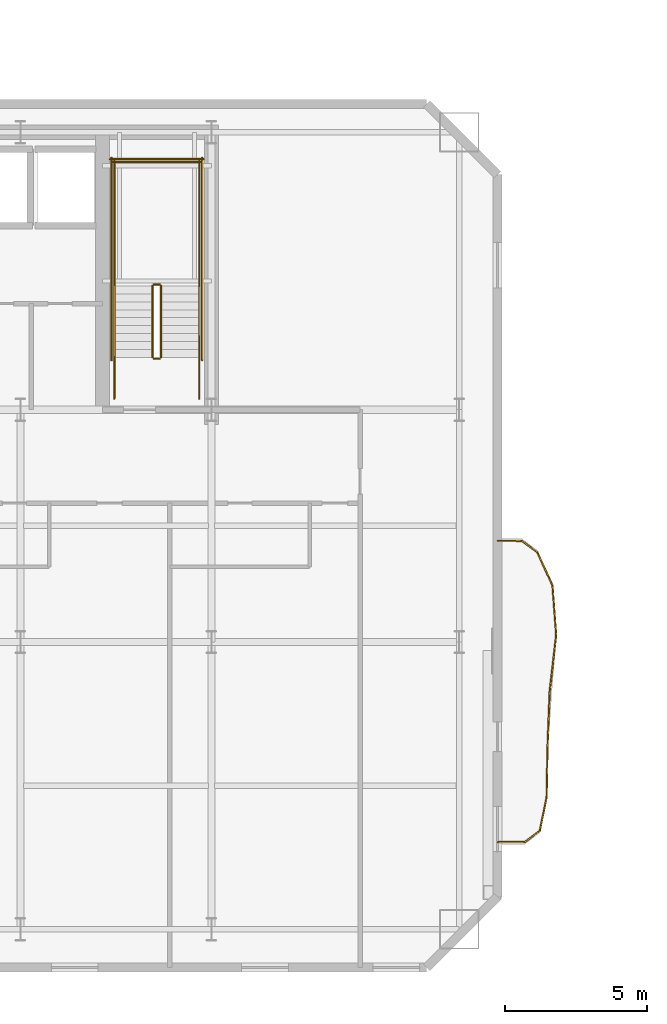
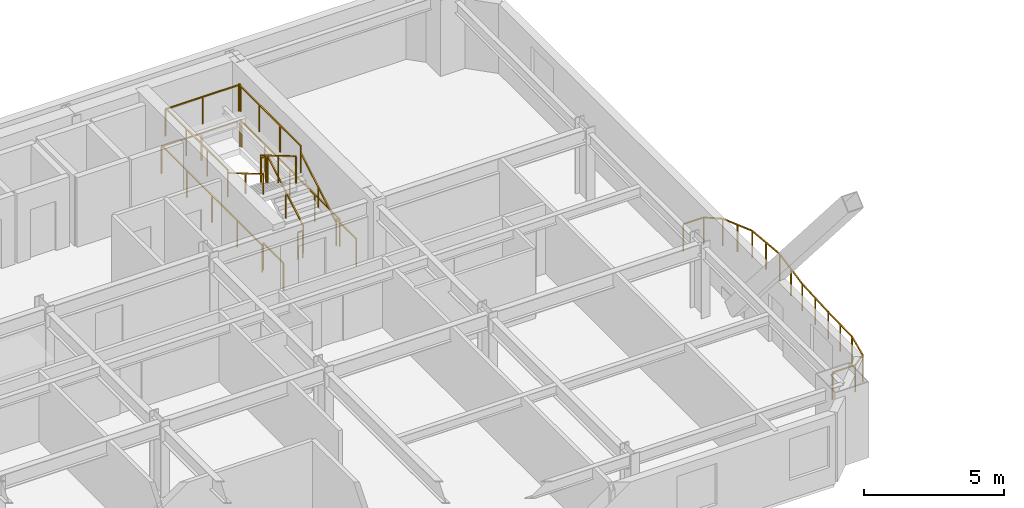
# One storey, part 13 of 15: 24 railings.
"""IFC4 building model written with IfcOpenShell, lengths in metres."""

import ifcopenshell
import ifcopenshell.guid

model = None  # the IFC model being written
_history = None  # IfcOwnerHistory: only IFC2X3 demands one
_inside = {}  # id of a spatial element -> (the spatial element, [elements in it])
_under = {}  # id of a project, library or spatial element -> (it, [spatial elements below it])
_declared = {}  # id of a project -> (the project, [libraries it declares])
_typed = {}  # id of a type object -> (the type object, [elements of that type])
_made_of = {}  # id of a material, layer set ... -> (it, [elements and type objects made of it])


def new_model(schema):
    """Start an empty IFC model of exactly this schema.

    Asked for "IFC4X3", IfcOpenShell would pick the latest addendum, in which some entities
    have other attributes; the version numbers below select the first issue.
    IFC2X3 requires an IfcOwnerHistory on every rooted entity: one is made here for all.
    """
    global model, _history
    if schema == "IFC4X3":
        model = ifcopenshell.file(schema_version=(4, 3, 0, 0))
    else:
        model = ifcopenshell.file(schema=schema)
    _inside.clear()
    _under.clear()
    _declared.clear()
    _typed.clear()
    _made_of.clear()
    _history = None
    if model.schema == "IFC2X3":
        org = make("IfcOrganization", Name="unknown")
        user = make(
            "IfcPersonAndOrganization",
            ThePerson=make("IfcPerson", FamilyName="unknown"),
            TheOrganization=org,
        )
        app = make(
            "IfcApplication",
            ApplicationDeveloper=org,
            Version="unknown",
            ApplicationFullName="unknown",
            ApplicationIdentifier="unknown",
        )
        _history = make(
            "IfcOwnerHistory",
            OwningUser=user,
            OwningApplication=app,
            ChangeAction="ADDED",
            CreationDate=0,
        )
    return model


def make(cls, **values):
    """One entity of the class cls with the attributes given. An attribute that is None is left unset."""
    return model.create_entity(
        cls, **{name: value for name, value in values.items() if value is not None}
    )


def rooted(cls, **values):
    """An entity with a GlobalId (a new one), such as an element, a storey or a relation."""
    return make(cls, GlobalId=ifcopenshell.guid.new(), OwnerHistory=_history, **values)


def si_unit(unit_type, name, prefix=None):
    """IfcSIUnit, for example si_unit("LENGTHUNIT", "METRE", prefix="MILLI")."""
    return make("IfcSIUnit", UnitType=unit_type, Prefix=prefix, Name=name)


def assignment(units):
    """IfcUnitAssignment: the units of a project."""
    return None if units is None else make("IfcUnitAssignment", Units=units)


def point(xyz):
    """IfcCartesianPoint."""
    return None if xyz is None else make("IfcCartesianPoint", Coordinates=xyz)


def direction(xyz):
    """IfcDirection."""
    return None if xyz is None else make("IfcDirection", DirectionRatios=xyz)


def frame(location, z_axis=None, x_axis=None):
    """IfcAxis2Placement3D, a coordinate frame: its origin and axes. An axis left out is left unset."""
    return make(
        "IfcAxis2Placement3D",
        Location=point(location),
        Axis=direction(z_axis),
        RefDirection=direction(x_axis),
    )


def frame_2d(location, x_axis=None):
    """IfcAxis2Placement2D, a coordinate frame in the plane: its origin and x axis."""
    return make(
        "IfcAxis2Placement2D", Location=point(location), RefDirection=direction(x_axis)
    )


def origin():
    """The frame at (0, 0, 0) with its axes left unset."""
    return frame((0.0, 0.0, 0.0))


def origin_2d():
    """The frame at (0, 0) in the plane with its x axis left unset."""
    return frame_2d((0.0, 0.0))


def place(relative_to, where):
    """IfcLocalPlacement: puts the frame where relative to a parent placement (None: the world)."""
    return make(
        "IfcLocalPlacement", PlacementRelTo=relative_to, RelativePlacement=where
    )


def context(
    kind, dimensions, precision=None, world=None, true_north=None, identifier=None
):
    """IfcGeometricRepresentationContext, for example the 3D "Model" context."""
    return make(
        "IfcGeometricRepresentationContext",
        ContextIdentifier=identifier,
        ContextType=kind,
        CoordinateSpaceDimension=dimensions,
        Precision=precision,
        WorldCoordinateSystem=world,
        TrueNorth=true_north,
    )


def subcontext(parent, identifier, kind, view, scale=None):
    """IfcGeometricRepresentationSubContext, for example "Body" below "Model"."""
    return make(
        "IfcGeometricRepresentationSubContext",
        ContextIdentifier=identifier,
        ContextType=kind,
        ParentContext=parent,
        TargetScale=scale,
        TargetView=view,
    )


def project(units=None, contexts=None):
    """IfcProject with its units and contexts."""
    return rooted(
        "IfcProject",
        Name="project",
        RepresentationContexts=contexts,
        UnitsInContext=assignment(units),
    )


def spatial(cls, under=None, at=None, **own):
    """A site, building, storey or space (cls), placed at a placement, below another one or the project."""
    s = rooted(cls, ObjectPlacement=at, **own)
    if under is not None:
        _under.setdefault(under.id(), (under, []))[1].append(s)
    return s


def profile(cls, at=None, kind="AREA", **sizes):
    """A parametric profile (cls). Its sizes go by their IFC names, for example OverallWidth=200.0."""
    return make(cls, ProfileType=kind, Position=at, **sizes)


def rectangle(**sizes):
    """IfcRectangleProfileDef."""
    return profile("IfcRectangleProfileDef", **sizes)


def extrude(swept, where, along, depth):
    """IfcExtrudedAreaSolid: the profile swept, set in the frame where, extruded along a direction by depth."""
    return make(
        "IfcExtrudedAreaSolid",
        SweptArea=swept,
        Position=where,
        ExtrudedDirection=direction(along),
        Depth=depth,
    )


def shape(context_of_items, identifier, shape_type, items):
    """IfcShapeRepresentation: the items that make up one representation, for example the "Body"."""
    return make(
        "IfcShapeRepresentation",
        ContextOfItems=context_of_items,
        RepresentationIdentifier=identifier,
        RepresentationType=shape_type,
        Items=items,
    )


def material(Name=None, Category=None):
    """IfcMaterial."""
    return make("IfcMaterial", Name=Name, Category=Category)


def made_of(thing, what):
    """Note that an element or type object is made of a material, layer set ...; save() writes the relation."""
    if what is not None:
        _made_of.setdefault(what.id(), (what, []))[1].append(thing)
    return thing


def type_object(cls, material=None, **own):
    """A type object (cls), such as IfcWallType, which elements share."""
    return made_of(rooted(cls, **own), material)


def element(
    cls,
    number,
    at=None,
    inside=None,
    cuts=None,
    type_object=None,
    material=None,
    context=None,
    identifier="Body",
    shape_type=None,
    held_by="IfcProductDefinitionShape",
    body=None,
    shapes=None,
    **own,
):
    """One element of the class cls, such as IfcWall. Its Tag is "e" and its number.

    at: its placement. inside: the storey or other place that contains it. cuts: it is an
    opening in that element (IfcRelVoidsElement). A single representation is given by context,
    identifier, shape_type and body (its items); several are given by shapes. held_by: the class
    of the entity that holds the representations. save() writes the other relations.
    """
    e = rooted(cls, Tag="e%d" % number, ObjectPlacement=at, **own)
    if body is not None:
        shapes = [shape(context, identifier, shape_type, body)]
    if shapes is not None:
        e.Representation = make(held_by, Representations=shapes)
    if inside is not None:
        _inside.setdefault(inside.id(), (inside, []))[1].append(e)
    if cuts is not None:
        rooted(
            "IfcRelVoidsElement", RelatingBuildingElement=cuts, RelatedOpeningElement=e
        )
    if type_object is not None:
        _typed.setdefault(type_object.id(), (type_object, []))[1].append(e)
    return made_of(e, material)


def aggregate(whole, parts):
    """IfcRelAggregates: a whole, such as a stair, and the parts it consists of."""
    return rooted("IfcRelAggregates", RelatingObject=whole, RelatedObjects=parts)


def save(model, path):
    """Write the relations noted so far, then the file.

    IfcRelAggregates (storeys below a building ...), IfcRelContainedInSpatialStructure (elements
    in a storey), IfcRelDefinesByType, IfcRelAssociatesMaterial and IfcRelDeclares: one each for
    every whole, place, type object, material and project.
    """
    for whole, parts in _under.values():
        aggregate(whole, parts)
    for where, things in _inside.values():
        rooted(
            "IfcRelContainedInSpatialStructure",
            RelatedElements=things,
            RelatingStructure=where,
        )
    for kind, things in _typed.values():
        rooted("IfcRelDefinesByType", RelatedObjects=things, RelatingType=kind)
    for what, things in _made_of.values():
        rooted("IfcRelAssociatesMaterial", RelatedObjects=things, RelatingMaterial=what)
    for by, libraries in _declared.values():
        rooted("IfcRelDeclares", RelatingContext=by, RelatedDefinitions=libraries)
    model.write(path)


model = new_model("IFC4")

# Units and contexts
model_context = context("Model", 3, precision=1e-05, world=origin(), true_north=direction((0.0, 1.0)))
body_context = subcontext(model_context, "Body", "Model", "MODEL_VIEW")
ifc_project = project(units=[si_unit("LENGTHUNIT", "METRE"), si_unit("AREAUNIT", "SQUARE_METRE"), si_unit("VOLUMEUNIT", "CUBIC_METRE"), si_unit("PLANEANGLEUNIT", "RADIAN"), si_unit("MASSUNIT", "GRAM", prefix="KILO")], contexts=[model_context])

# Site, building, storey
site_placement = place(None, origin())
site = spatial("IfcSite", under=ifc_project, at=site_placement, CompositionType="ELEMENT")
building_placement = place(site_placement, origin())
building = spatial("IfcBuilding", under=site, at=building_placement, Name="Haevon Station Towers", CompositionType="ELEMENT")
storey_placement = place(building_placement, frame((0.0, 0.0, 103.199951171875)))
storey = spatial("IfcBuildingStorey", under=building, at=storey_placement, Name="L27", CompositionType="ELEMENT", Elevation=103.199951171875)

# Railings
ifc_material = material(Name="Steel S355", Category="steel")
railing_type_1 = type_object("IfcRailingType", Name="GRD-EXT1200", PredefinedType="GUARDRAIL", material=ifc_material)
railing_1_placement = place(storey_placement, frame((61.12353515625, 22.927734375, 0.0)))
element("IfcRailing", 1, at=railing_1_placement, inside=storey, type_object=railing_type_1, Name="L27 Perimeter Guardrail 1", PredefinedType="GUARDRAIL", context=body_context, shape_type="SweptSolid", body=[
    extrude(rectangle(XDim=0.048095703125, YDim=0.048095703125, at=origin_2d()), frame((0.0, 0.0, 1.17578125), z_axis=(0.999997290248, 0.002327981276, 0.0), x_axis=(-0.002327981276, 0.999997290248, 0.0)), (0.0, 0.0, 1.0), 0.94384765625),
    extrude(rectangle(XDim=0.0419921875, YDim=0.0419921875, at=origin_2d()), origin(), (0.0, 0.0, 1.0), 1.15185546875),
    extrude(rectangle(XDim=0.0419921875, YDim=0.0419921875, at=origin_2d()), frame((0.94384765625, 0.002197265625, 0.0)), (0.0, 0.0, 1.0), 1.15185546875),
])
railing_2_placement = place(storey_placement, frame((62.0673828125, 22.929931640625, 0.0)))
element("IfcRailing", 2, at=railing_2_placement, inside=storey, type_object=railing_type_1, Name="L27 Perimeter Guardrail 2", PredefinedType="GUARDRAIL", context=body_context, shape_type="SweptSolid", body=[
    extrude(rectangle(XDim=0.048095703125, YDim=0.048095703125, at=origin_2d()), frame((0.0, 0.0, 1.17578125), z_axis=(0.79178726734, 0.61079695749, 0.0), x_axis=(-0.61079695749, 0.79178726734, 0.0)), (0.0, 0.0, 1.0), 0.673095703125),
    extrude(rectangle(XDim=0.0419921875, YDim=0.0419921875, at=origin_2d()), origin(), (0.0, 0.0, 1.0), 1.15185546875),
    extrude(rectangle(XDim=0.0419921875, YDim=0.0419921875, at=origin_2d()), frame((0.532958984375, 0.4111328125, 0.0)), (0.0, 0.0, 1.0), 1.15185546875),
])
railing_3_placement = place(storey_placement, frame((62.600341796875, 23.341064453125, 0.0)))
element("IfcRailing", 3, at=railing_3_placement, inside=storey, type_object=railing_type_1, Name="L27 Perimeter Guardrail 3", PredefinedType="GUARDRAIL", context=body_context, shape_type="SweptSolid", body=[
    extrude(rectangle(XDim=0.048095703125, YDim=0.048095703125, at=origin_2d()), frame((0.0, 0.0, 1.17578125), z_axis=(0.199771721582, 0.979842466551, 0.0), x_axis=(-0.979842466551, 0.199771721582, 0.0)), (0.0, 0.0, 1.0), 1.194091796875),
    extrude(rectangle(XDim=0.0419921875, YDim=0.0419921875, at=origin_2d()), origin(), (0.0, 0.0, 1.0), 1.15185546875),
    extrude(rectangle(XDim=0.0419921875, YDim=0.0419921875, at=origin_2d()), frame((0.238525390625, 1.169921875, 0.0)), (0.0, 0.0, 1.0), 1.15185546875),
])
railing_4_placement = place(storey_placement, frame((62.8388671875, 24.510986328125, 0.0)))
element("IfcRailing", 4, at=railing_4_placement, inside=storey, type_object=railing_type_1, Name="L27 Perimeter Guardrail 4", PredefinedType="GUARDRAIL", context=body_context, shape_type="SweptSolid", body=[
    extrude(rectangle(XDim=0.048095703125, YDim=0.048095703125, at=origin_2d()), frame((0.0, 0.0, 1.17578125), z_axis=(0.017572959065, 0.999845583633, 0.0), x_axis=(-0.999845583633, 0.017572959065, 0.0)), (0.0, 0.0, 1.0), 1.75048828125),
    extrude(rectangle(XDim=0.0419921875, YDim=0.0419921875, at=origin_2d()), origin(), (0.0, 0.0, 1.0), 1.15185546875),
    extrude(rectangle(XDim=0.0419921875, YDim=0.0419921875, at=origin_2d()), frame((0.015380859375, 0.875, 0.0)), (0.0, 0.0, 1.0), 1.15185546875),
    extrude(rectangle(XDim=0.0419921875, YDim=0.0419921875, at=origin_2d()), frame((0.03076171875, 1.750244140625, 0.0)), (0.0, 0.0, 1.0), 1.15185546875),
])
railing_5_placement = place(storey_placement, frame((62.86962890625, 26.26123046875, 0.0)))
element("IfcRailing", 5, at=railing_5_placement, inside=storey, type_object=railing_type_1, Name="L27 Perimeter Guardrail 5", PredefinedType="GUARDRAIL", context=body_context, shape_type="SweptSolid", body=[
    extrude(rectangle(XDim=0.048095703125, YDim=0.048095703125, at=origin_2d()), frame((0.0, 0.0, 1.17578125), z_axis=(0.038150453475, 0.999272006463, 0.0), x_axis=(-0.999272006463, 0.038150453475, 0.0)), (0.0, 0.0, 1.0), 1.990234375),
    extrude(rectangle(XDim=0.0419921875, YDim=0.0419921875, at=origin_2d()), origin(), (0.0, 0.0, 1.0), 1.15185546875),
    extrude(rectangle(XDim=0.0419921875, YDim=0.0419921875, at=origin_2d()), frame((0.0380859375, 0.994384765625, 0.0)), (0.0, 0.0, 1.0), 1.15185546875),
    extrude(rectangle(XDim=0.0419921875, YDim=0.0419921875, at=origin_2d()), frame((0.075927734375, 1.98876953125, 0.0)), (0.0, 0.0, 1.0), 1.15185546875),
])
railing_6_placement = place(storey_placement, frame((62.945556640625, 28.25, 0.0)))
element("IfcRailing", 6, at=railing_6_placement, inside=storey, type_object=railing_type_1, Name="L27 Perimeter Guardrail 6", PredefinedType="GUARDRAIL", context=body_context, shape_type="SweptSolid", body=[
    extrude(rectangle(XDim=0.048095703125, YDim=0.048095703125, at=origin_2d()), frame((0.0, 0.0, 1.17578125), z_axis=(0.114933725314, 0.993373161901, 0.0), x_axis=(-0.993373161901, 0.114933725314, 0.0)), (0.0, 0.0, 1.0), 2.005126953125),
    extrude(rectangle(XDim=0.0419921875, YDim=0.0419921875, at=origin_2d()), origin(), (0.0, 0.0, 1.0), 1.15185546875),
    extrude(rectangle(XDim=0.0419921875, YDim=0.0419921875, at=origin_2d()), frame((0.115234375, 0.99609375, 0.0)), (0.0, 0.0, 1.0), 1.15185546875),
    extrude(rectangle(XDim=0.0419921875, YDim=0.0419921875, at=origin_2d()), frame((0.23046875, 1.991943359375, 0.0)), (0.0, 0.0, 1.0), 1.15185546875),
])
railing_7_placement = place(storey_placement, frame((63.176025390625, 30.241943359375, 0.0)))
element("IfcRailing", 7, at=railing_7_placement, inside=storey, type_object=railing_type_1, Name="L27 Perimeter Guardrail 7", PredefinedType="GUARDRAIL", context=body_context, shape_type="SweptSolid", body=[
    extrude(rectangle(XDim=0.048095703125, YDim=0.048095703125, at=origin_2d()), frame((0.0, 0.0, 1.17578125), z_axis=(-0.074672193364, 0.997208134513, 0.0), x_axis=(-0.997208134513, -0.074672193364, 0.0)), (0.0, 0.0, 1.0), 1.75244140625),
    extrude(rectangle(XDim=0.0419921875, YDim=0.0419921875, at=origin_2d()), origin(), (0.0, 0.0, 1.0), 1.15185546875),
    extrude(rectangle(XDim=0.0419921875, YDim=0.0419921875, at=origin_2d()), frame((-0.0654296875, 0.873779296875, 0.0)), (0.0, 0.0, 1.0), 1.15185546875),
    extrude(rectangle(XDim=0.0419921875, YDim=0.0419921875, at=origin_2d()), frame((-0.130859375, 1.74755859375, 0.0)), (0.0, 0.0, 1.0), 1.15185546875),
])
railing_8_placement = place(storey_placement, frame((63.045166015625, 31.989501953125, 0.0)))
element("IfcRailing", 8, at=railing_8_placement, inside=storey, type_object=railing_type_1, Name="L27 Perimeter Guardrail 8", PredefinedType="GUARDRAIL", context=body_context, shape_type="SweptSolid", body=[
    extrude(rectangle(XDim=0.048095703125, YDim=0.048095703125, at=origin_2d()), frame((0.0, 0.0, 1.17578125), z_axis=(-0.413759985139, 0.910386003131, 0.0), x_axis=(-0.910386003131, -0.413759985139, 0.0)), (0.0, 0.0, 1.0), 1.28466796875),
    extrude(rectangle(XDim=0.0419921875, YDim=0.0419921875, at=origin_2d()), origin(), (0.0, 0.0, 1.0), 1.15185546875),
    extrude(rectangle(XDim=0.0419921875, YDim=0.0419921875, at=origin_2d()), frame((-0.265625, 0.584716796875, 0.0)), (0.0, 0.0, 1.0), 1.15185546875),
    extrude(rectangle(XDim=0.0419921875, YDim=0.0419921875, at=origin_2d()), frame((-0.531494140625, 1.16943359375, 0.0)), (0.0, 0.0, 1.0), 1.15185546875),
])
railing_9_placement = place(storey_placement, frame((62.513671875, 33.158935546875, 0.0)))
element("IfcRailing", 9, at=railing_9_placement, inside=storey, type_object=railing_type_1, Name="L27 Perimeter Guardrail 9", PredefinedType="GUARDRAIL", context=body_context, shape_type="SweptSolid", body=[
    extrude(rectangle(XDim=0.048095703125, YDim=0.048095703125, at=origin_2d()), frame((0.0, 0.0, 1.17578125), z_axis=(-0.801952764523, 0.597387448374, 0.0), x_axis=(-0.597387448374, -0.801952764523, 0.0)), (0.0, 0.0, 1.0), 0.688720703125),
    extrude(rectangle(XDim=0.0419921875, YDim=0.0419921875, at=origin_2d()), origin(), (0.0, 0.0, 1.0), 1.15185546875),
    extrude(rectangle(XDim=0.0419921875, YDim=0.0419921875, at=origin_2d()), frame((-0.55224609375, 0.411376953125, 0.0)), (0.0, 0.0, 1.0), 1.15185546875),
])
railing_10_placement = place(storey_placement, frame((61.96142578125, 33.5703125, 0.0)))
element("IfcRailing", 10, at=railing_10_placement, inside=storey, type_object=railing_type_1, Name="L27 Perimeter Guardrail 10", PredefinedType="GUARDRAIL", context=body_context, shape_type="SweptSolid", body=[
    extrude(rectangle(XDim=0.048095703125, YDim=0.048095703125, at=origin_2d()), frame((0.0, 0.0, 1.17578125), z_axis=(-0.999997283225, 0.002330995998, 0.0), x_axis=(-0.002330995998, -0.999997283225, 0.0)), (0.0, 0.0, 1.0), 0.837890625),
    extrude(rectangle(XDim=0.0419921875, YDim=0.0419921875, at=origin_2d()), origin(), (0.0, 0.0, 1.0), 1.15185546875),
    extrude(rectangle(XDim=0.0419921875, YDim=0.0419921875, at=origin_2d()), frame((-0.837890625, 0.001953125, 0.0)), (0.0, 0.0, 1.0), 1.15185546875),
])
railing_type_2 = type_object("IfcRailingType", Name="GRD-STR1200", PredefinedType="GUARDRAIL", material=ifc_material)
railing_11_placement = place(storey_placement, frame((49.219970703125, 40.050048828125, 0.1650390625)))
element("IfcRailing", 11, at=railing_11_placement, inside=storey, type_object=railing_type_2, Name="L27 ST2 Stair Guard 1", PredefinedType="GUARDRAIL", context=body_context, shape_type="SweptSolid", body=[
    extrude(rectangle(XDim=0.048095703125, YDim=0.048095703125, at=origin_2d()), frame((0.0, 0.0, 1.17578125), z_axis=(0.0, 0.86152411907, 0.507716645641), x_axis=(-1.0, 0.0, 0.0)), (0.0, 0.0, 1.0), 2.925048828125),
    extrude(rectangle(XDim=0.0419921875, YDim=0.0419921875, at=origin_2d()), origin(), (0.0, 0.0, 1.0), 1.15185546875),
    extrude(rectangle(XDim=0.0419921875, YDim=0.0419921875, at=origin_2d()), frame((0.0, 1.260009765625, 0.74267578125)), (0.0, 0.0, 1.0), 1.15185546875),
    extrude(rectangle(XDim=0.0419921875, YDim=0.0419921875, at=origin_2d()), frame((0.0, 2.52001953125, 1.485107421875)), (0.0, 0.0, 1.0), 1.15185546875),
])
railing_12_placement = place(storey_placement, frame((49.169921875, 42.6201171875, 1.650146484375)))
element("IfcRailing", 12, at=railing_12_placement, inside=storey, type_object=railing_type_2, Name="L27 ST2 Stair Guard 2", PredefinedType="GUARDRAIL", context=body_context, shape_type="SweptSolid", body=[
    extrude(rectangle(XDim=0.048095703125, YDim=0.048095703125, at=origin_2d()), frame((0.0, 0.0, 1.17578125), z_axis=(-1.0, 0.0, 0.0), x_axis=(0.0, -1.0, 0.0)), (0.0, 0.0, 1.0), 0.199951171875),
    extrude(rectangle(XDim=0.0419921875, YDim=0.0419921875, at=origin_2d()), origin(), (0.0, 0.0, 1.0), 1.15185546875),
    extrude(rectangle(XDim=0.0419921875, YDim=0.0419921875, at=origin_2d()), frame((-0.199951171875, 0.0, 0.0)), (0.0, 0.0, 1.0), 1.15185546875),
])
for number, where, name in (
    (13, (50.570068359375, 42.570068359375, 1.650146484375), "L27 ST2 Stair Guard 3"),
    (14, (47.570068359375, 42.570068359375, 1.650146484375), "L27 ST2 Stair Guard 4"),
):
    element("IfcRailing", number, at=place(storey_placement, frame(where)), inside=storey, type_object=railing_type_2, Name=name, PredefinedType="GUARDRAIL", context=body_context, shape_type="SweptSolid", body=[
        extrude(rectangle(XDim=0.048095703125, YDim=0.048095703125, at=origin_2d()), frame((0.0, 0.0, 1.17578125), z_axis=(0.0, 1.0, 0.0), x_axis=(-1.0, 0.0, 0.0)), (0.0, 0.0, 1.0), 4.429931640625),
        extrude(rectangle(XDim=0.0419921875, YDim=0.0419921875, at=origin_2d()), origin(), (0.0, 0.0, 1.0), 1.15185546875),
        extrude(rectangle(XDim=0.0419921875, YDim=0.0419921875, at=origin_2d()), frame((0.0, 1.4765625, 0.0)), (0.0, 0.0, 1.0), 1.15185546875),
        extrude(rectangle(XDim=0.0419921875, YDim=0.0419921875, at=origin_2d()), frame((0.0, 2.953369140625, 0.0)), (0.0, 0.0, 1.0), 1.15185546875),
        extrude(rectangle(XDim=0.0419921875, YDim=0.0419921875, at=origin_2d()), frame((0.0, 4.429931640625, 0.0)), (0.0, 0.0, 1.0), 1.15185546875),
    ])
railing_13_placement = place(storey_placement, frame((50.6201171875, 46.949951171875, 1.650146484375)))
element("IfcRailing", 15, at=railing_13_placement, inside=storey, type_object=railing_type_2, Name="L27 ST2 Stair Guard 5", PredefinedType="GUARDRAIL", context=body_context, shape_type="SweptSolid", body=[
    extrude(rectangle(XDim=0.048095703125, YDim=0.048095703125, at=origin_2d()), frame((0.0, 0.0, 1.17578125), z_axis=(-1.0, 0.0, 0.0), x_axis=(0.0, -1.0, 0.0)), (0.0, 0.0, 1.0), 3.10009765625),
    extrude(rectangle(XDim=0.0419921875, YDim=0.0419921875, at=origin_2d()), origin(), (0.0, 0.0, 1.0), 1.15185546875),
    extrude(rectangle(XDim=0.0419921875, YDim=0.0419921875, at=origin_2d()), frame((-1.550048828125, 0.0, 0.0)), (0.0, 0.0, 1.0), 1.15185546875),
    extrude(rectangle(XDim=0.0419921875, YDim=0.0419921875, at=origin_2d()), frame((-3.10009765625, 0.0, 0.0)), (0.0, 0.0, 1.0), 1.15185546875),
])
railing_14_placement = place(storey_placement, frame((48.919921875, 42.570068359375, 1.81494140625)))
element("IfcRailing", 16, at=railing_14_placement, inside=storey, type_object=railing_type_2, Name="L27 ST2 Stair Guard 6", PredefinedType="GUARDRAIL", context=body_context, shape_type="SweptSolid", body=[
    extrude(rectangle(XDim=0.048095703125, YDim=0.048095703125, at=origin_2d()), frame((0.0, 0.0, 1.17578125), z_axis=(0.0, -0.86152411907, 0.507716645641), x_axis=(1.0, 0.0, 0.0)), (0.0, 0.0, 1.0), 2.925048828125),
    extrude(rectangle(XDim=0.0419921875, YDim=0.0419921875, at=origin_2d()), origin(), (0.0, 0.0, 1.0), 1.15185546875),
    extrude(rectangle(XDim=0.0419921875, YDim=0.0419921875, at=origin_2d()), frame((0.0, -1.260009765625, 0.74267578125)), (0.0, 0.0, 1.0), 1.15185546875),
    extrude(rectangle(XDim=0.0419921875, YDim=0.0419921875, at=origin_2d()), frame((0.0, -2.52001953125, 1.485107421875)), (0.0, 0.0, 1.0), 1.15185546875),
])
railing_15_placement = place(storey_placement, frame((49.169921875, 40.0, 0.0)))
element("IfcRailing", 17, at=railing_15_placement, inside=storey, type_object=railing_type_2, Name="L27 ST2 Stair Guard 7", PredefinedType="GUARDRAIL", context=body_context, shape_type="SweptSolid", body=[
    extrude(rectangle(XDim=0.048095703125, YDim=0.048095703125, at=origin_2d()), frame((0.0, 0.0, 1.17578125), z_axis=(-1.0, 0.0, 0.0), x_axis=(0.0, -1.0, 0.0)), (0.0, 0.0, 1.0), 0.199951171875),
    extrude(rectangle(XDim=0.0419921875, YDim=0.0419921875, at=origin_2d()), origin(), (0.0, 0.0, 1.0), 1.15185546875),
    extrude(rectangle(XDim=0.0419921875, YDim=0.0419921875, at=origin_2d()), frame((-0.199951171875, 0.0, 0.0)), (0.0, 0.0, 1.0), 1.15185546875),
])
for number, where, name in (
    (18, (50.570068359375, 38.60009765625, 0.0), "L27 ST2 Stair Guard 8"),
    (19, (47.570068359375, 38.60009765625, 0.0), "L27 ST2 Stair Guard 9"),
):
    element("IfcRailing", number, at=place(storey_placement, frame(where)), inside=storey, type_object=railing_type_2, Name=name, PredefinedType="GUARDRAIL", context=body_context, shape_type="SweptSolid", body=[
        extrude(rectangle(XDim=0.048095703125, YDim=0.048095703125, at=origin_2d()), frame((0.0, 0.0, 1.17578125), z_axis=(0.0, 1.0, 0.0), x_axis=(-1.0, 0.0, 0.0)), (0.0, 0.0, 1.0), 1.449951171875),
        extrude(rectangle(XDim=0.0419921875, YDim=0.0419921875, at=origin_2d()), origin(), (0.0, 0.0, 1.0), 1.15185546875),
        extrude(rectangle(XDim=0.0419921875, YDim=0.0419921875, at=origin_2d()), frame((0.0, 1.449951171875, 0.0)), (0.0, 0.0, 1.0), 1.15185546875),
    ])
for number, where, name in (
    (20, (50.669921875, 39.949951171875, 0.0), "L27 ST2 Stair Guard 10"),
    (21, (47.469970703125, 39.949951171875, 0.0), "L27 ST2 Stair Guard 11"),
):
    element("IfcRailing", number, at=place(storey_placement, frame(where)), inside=storey, type_object=railing_type_2, Name=name, PredefinedType="GUARDRAIL", context=body_context, shape_type="SweptSolid", body=[
        extrude(rectangle(XDim=0.048095703125, YDim=0.048095703125, at=origin_2d()), frame((0.0, 0.0, 1.17578125), z_axis=(0.0, 1.0, 0.0), x_axis=(-1.0, 0.0, 0.0)), (0.0, 0.0, 1.0), 7.150146484375),
        extrude(rectangle(XDim=0.0419921875, YDim=0.0419921875, at=origin_2d()), origin(), (0.0, 0.0, 1.0), 1.15185546875),
        extrude(rectangle(XDim=0.0419921875, YDim=0.0419921875, at=origin_2d()), frame((0.0, 1.78759765625, 0.0)), (0.0, 0.0, 1.0), 1.15185546875),
        extrude(rectangle(XDim=0.0419921875, YDim=0.0419921875, at=origin_2d()), frame((0.0, 3.5751953125, 0.0)), (0.0, 0.0, 1.0), 1.15185546875),
        extrude(rectangle(XDim=0.0419921875, YDim=0.0419921875, at=origin_2d()), frame((0.0, 5.362548828125, 0.0)), (0.0, 0.0, 1.0), 1.15185546875),
        extrude(rectangle(XDim=0.0419921875, YDim=0.0419921875, at=origin_2d()), frame((0.0, 7.150146484375, 0.0)), (0.0, 0.0, 1.0), 1.15185546875),
    ])
railing_16_placement = place(storey_placement, frame((50.719970703125, 47.050048828125, 0.0)))
element("IfcRailing", 22, at=railing_16_placement, inside=storey, type_object=railing_type_2, Name="L27 ST2 Stair Guard 12", PredefinedType="GUARDRAIL", context=body_context, shape_type="SweptSolid", body=[
    extrude(rectangle(XDim=0.048095703125, YDim=0.048095703125, at=origin_2d()), frame((0.0, 0.0, 1.17578125), z_axis=(-1.0, 0.0, 0.0), x_axis=(0.0, -1.0, 0.0)), (0.0, 0.0, 1.0), 3.300048828125),
    extrude(rectangle(XDim=0.0419921875, YDim=0.0419921875, at=origin_2d()), origin(), (0.0, 0.0, 1.0), 1.15185546875),
    extrude(rectangle(XDim=0.0419921875, YDim=0.0419921875, at=origin_2d()), frame((-1.64990234375, 0.0, 0.0)), (0.0, 0.0, 1.0), 1.15185546875),
    extrude(rectangle(XDim=0.0419921875, YDim=0.0419921875, at=origin_2d()), frame((-3.300048828125, 0.0, 0.0)), (0.0, 0.0, 1.0), 1.15185546875),
])
railing_type_3 = type_object("IfcRailingType", Name="HND-STR900", PredefinedType="HANDRAIL", material=ifc_material)
railing_17_placement = place(storey_placement, frame((50.570068359375, 40.050048828125, 0.1650390625)))
element("IfcRailing", 23, at=railing_17_placement, inside=storey, type_object=railing_type_3, Name="L27 ST2 Stair Handrail 1", PredefinedType="HANDRAIL", context=body_context, shape_type="SweptSolid", body=[
    extrude(rectangle(XDim=0.048095703125, YDim=0.048095703125, at=origin_2d()), frame((0.0, 0.0, 0.8759765625), z_axis=(0.0, 0.86152411907, 0.507716645641), x_axis=(-1.0, 0.0, 0.0)), (0.0, 0.0, 1.0), 2.925048828125),
    extrude(rectangle(XDim=0.0419921875, YDim=0.0419921875, at=origin_2d()), origin(), (0.0, 0.0, 1.0), 0.851806640625),
    extrude(rectangle(XDim=0.0419921875, YDim=0.0419921875, at=origin_2d()), frame((0.0, 1.260009765625, 0.74267578125)), (0.0, 0.0, 1.0), 0.851806640625),
    extrude(rectangle(XDim=0.0419921875, YDim=0.0419921875, at=origin_2d()), frame((0.0, 2.52001953125, 1.485107421875)), (0.0, 0.0, 1.0), 0.851806640625),
])
railing_18_placement = place(storey_placement, frame((47.570068359375, 42.570068359375, 1.81494140625)))
element("IfcRailing", 24, at=railing_18_placement, inside=storey, type_object=railing_type_3, Name="L27 ST2 Stair Handrail 2", PredefinedType="HANDRAIL", context=body_context, shape_type="SweptSolid", body=[
    extrude(rectangle(XDim=0.048095703125, YDim=0.048095703125, at=origin_2d()), frame((0.0, 0.0, 0.8759765625), z_axis=(0.0, -0.86152411907, 0.507716645641), x_axis=(1.0, 0.0, 0.0)), (0.0, 0.0, 1.0), 2.925048828125),
    extrude(rectangle(XDim=0.0419921875, YDim=0.0419921875, at=origin_2d()), origin(), (0.0, 0.0, 1.0), 0.851806640625),
    extrude(rectangle(XDim=0.0419921875, YDim=0.0419921875, at=origin_2d()), frame((0.0, -1.260009765625, 0.74267578125)), (0.0, 0.0, 1.0), 0.851806640625),
    extrude(rectangle(XDim=0.0419921875, YDim=0.0419921875, at=origin_2d()), frame((0.0, -2.52001953125, 1.485107421875)), (0.0, 0.0, 1.0), 0.851806640625),
])

save(model, "model.ifc")
